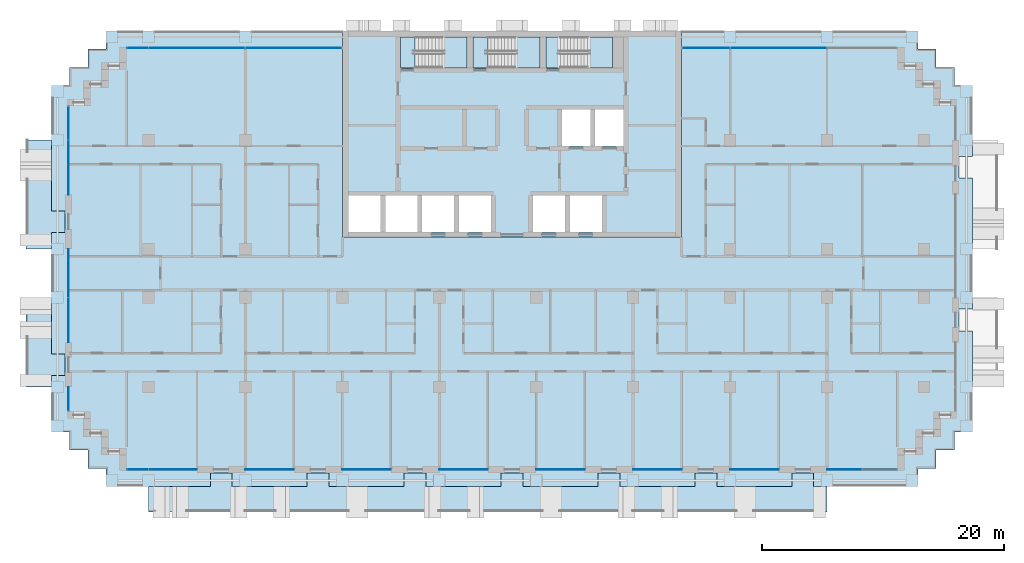
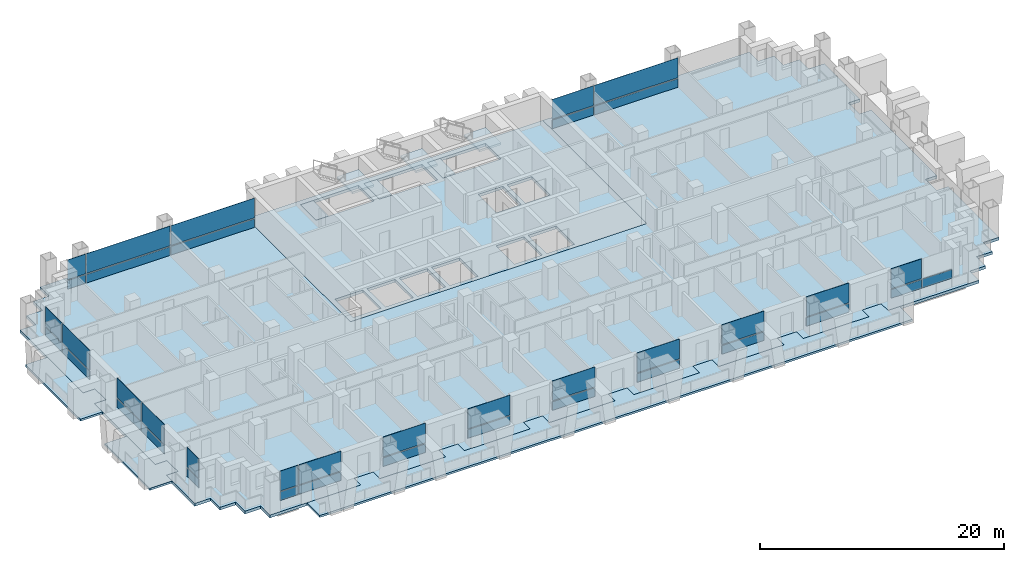
# One storey, part 7 of 19: 39 plates, 11 slabs, 16 elements without a shape of their own.
"""IFC4 building model written with IfcOpenShell, lengths in metres."""

from ifc_helpers import new_model, si_unit, direction, frame, origin, origin_2d, place, context, subcontext, project, spatial, polyline, rectangle, outline, extrude, material, layer, layer_set, type_object, element, aggregate, save


model = new_model("IFC4")

# Units and contexts
model_context = context("Model", 3, precision=1e-05, world=origin(), true_north=direction((0.0, 1.0)))
body_context = subcontext(model_context, "Body", "Model", "MODEL_VIEW")
ifc_project = project(units=[si_unit("LENGTHUNIT", "METRE"), si_unit("AREAUNIT", "SQUARE_METRE"), si_unit("VOLUMEUNIT", "CUBIC_METRE"), si_unit("PLANEANGLEUNIT", "RADIAN"), si_unit("MASSUNIT", "GRAM", prefix="KILO")], contexts=[model_context])

# Site, building, storey
site_placement = place(None, origin())
site = spatial("IfcSite", under=ifc_project, at=site_placement, CompositionType="ELEMENT")
building_placement = place(site_placement, origin())
building = spatial("IfcBuilding", under=site, at=building_placement, Name="Vidyagriha Tower", CompositionType="ELEMENT")
storey_placement = place(building_placement, frame((0.0, 0.0, 57.60009765625)))
storey = spatial("IfcBuildingStorey", under=building, at=storey_placement, Name="L15", CompositionType="ELEMENT", Elevation=57.60009765625)

# Curtain wall, plate
ifc_material_1 = material(Name="Aluminium and glass curtain wall", Category="aluminium")
curtain_wall_type = type_object("IfcCurtainWallType", Name="Dwelling skin unitised curtain wall", PredefinedType="USERDEFINED", material=ifc_material_1)
curtain_wall_1_placement = place(storey_placement, origin())
curtain_wall_1 = element("IfcCurtainWall", 1, at=curtain_wall_1_placement, inside=storey, type_object=curtain_wall_type, Name="CW1 dwelling skin", ObjectType="UNITISED", PredefinedType="USERDEFINED")
ifc_material_2 = material(Name="Glass dark ceramic-fritted spandrel", Category="glass")
ifc_layer_1 = layer(ifc_material_2, 0.0400390625)
ifc_layer_set_1 = layer_set([ifc_layer_1], Name="Glass dark ceramic-fritted spandrel")
plate_type_1 = type_object("IfcPlateType", Name="Ceramic-fritted spandrel panel", PredefinedType="CURTAIN_PANEL", material=ifc_layer_set_1)
plate_1_placement = place(storey_placement, frame((16.017578125, 18.60009765625, -0.000244140625), z_axis=(0.0, 0.0, 1.0), x_axis=(-1.0, 0.0, 0.0)))
plate_1 = element("IfcPlate", 2, at=plate_1_placement, type_object=plate_type_1, Name="CW1 panel 3.1", PredefinedType="CURTAIN_PANEL", context=body_context, shape_type="SweptSolid", body=[
    extrude(rectangle(XDim=3.89501953125, YDim=0.0400390625, at=origin_2d()), origin(), (0.0, 0.0, 1.0), 0.85009765625),
])

# Curtain wall, plates
curtain_wall_2_placement = place(storey_placement, origin())
curtain_wall_2 = element("IfcCurtainWall", 3, at=curtain_wall_2_placement, inside=storey, type_object=curtain_wall_type, Name="CW1 dwelling skin", ObjectType="UNITISED", PredefinedType="USERDEFINED")
plate_2_placement = place(storey_placement, frame((-18.017578125, 18.60009765625, -0.000244140625), z_axis=(0.0, 0.0, 1.0), x_axis=(-1.0, 0.0, 0.0)))
plate_2 = element("IfcPlate", 4, at=plate_2_placement, type_object=plate_type_1, Name="CW1 panel 1.1", PredefinedType="CURTAIN_PANEL", context=body_context, shape_type="SweptSolid", body=[
    extrude(rectangle(XDim=7.89501953125, YDim=0.0400390625, at=origin_2d()), origin(), (0.0, 0.0, 1.0), 0.85009765625),
])
plate_3_placement = place(storey_placement, frame((-30.882568359375, 18.60009765625, -0.000244140625), z_axis=(0.0, 0.0, 1.0), x_axis=(-1.0, 0.0, 0.0)))
plate_3 = element("IfcPlate", 5, at=plate_3_placement, type_object=plate_type_1, Name="CW1 panel 3.1", PredefinedType="CURTAIN_PANEL", context=body_context, shape_type="SweptSolid", body=[
    extrude(rectangle(XDim=1.695068359375, YDim=0.0400390625, at=origin_2d()), origin(), (0.0, 0.0, 1.0), 0.85009765625),
])

curtain_wall_3_placement = place(storey_placement, origin())
curtain_wall_3 = element("IfcCurtainWall", 6, at=curtain_wall_3_placement, inside=storey, type_object=curtain_wall_type, Name="CW1 dwelling skin", ObjectType="UNITISED", PredefinedType="USERDEFINED")
plate_4_placement = place(storey_placement, frame((-36.60009765625, 12.382568359375, -0.000244140625), z_axis=(0.0, 0.0, 1.0), x_axis=(0.0, -1.0, 0.0)))
plate_4 = element("IfcPlate", 7, at=plate_4_placement, type_object=plate_type_1, Name="CW1 panel 1.1", PredefinedType="CURTAIN_PANEL", context=body_context, shape_type="SweptSolid", body=[
    extrude(rectangle(XDim=2.695068359375, YDim=0.0400390625, at=origin_2d()), origin(), (0.0, 0.0, 1.0), 0.85009765625),
])
plate_5_placement = place(storey_placement, frame((-36.60009765625, 8.732421875, -0.000244140625), z_axis=(0.0, 0.0, 1.0), x_axis=(0.0, -1.0, 0.0)))
plate_5 = element("IfcPlate", 8, at=plate_5_placement, type_object=plate_type_1, Name="CW1 panel 2.1", PredefinedType="CURTAIN_PANEL", context=body_context, shape_type="SweptSolid", body=[
    extrude(rectangle(XDim=4.465087890625, YDim=0.0400390625, at=origin_2d()), origin(), (0.0, 0.0, 1.0), 0.85009765625),
])

# Curtain wall, plate
curtain_wall_4_placement = place(storey_placement, origin())
curtain_wall_4 = element("IfcCurtainWall", 9, at=curtain_wall_4_placement, inside=storey, type_object=curtain_wall_type, Name="CW1 dwelling skin", ObjectType="UNITISED", PredefinedType="USERDEFINED")
plate_6_placement = place(storey_placement, frame((-36.60009765625, -10.364990234375, -0.000244140625), z_axis=(0.0, 0.0, 1.0), x_axis=(0.0, -1.0, 0.0)))
plate_6 = element("IfcPlate", 10, at=plate_6_placement, type_object=plate_type_1, Name="CW1 panel 1.1", PredefinedType="CURTAIN_PANEL", context=body_context, shape_type="SweptSolid", body=[
    extrude(rectangle(XDim=1.929931640625, YDim=0.0400390625, at=origin_2d()), origin(), (0.0, 0.0, 1.0), 0.85009765625),
])

# Curtain wall, plates
curtain_wall_5_placement = place(storey_placement, origin())
curtain_wall_5 = element("IfcCurtainWall", 11, at=curtain_wall_5_placement, inside=storey, type_object=curtain_wall_type, Name="CW1 dwelling skin", ObjectType="UNITISED", PredefinedType="USERDEFINED")
plate_7_placement = place(storey_placement, frame((-30.882568359375, -16.199951171875, -0.000244140625)))
plate_7 = element("IfcPlate", 12, at=plate_7_placement, type_object=plate_type_1, Name="CW1 panel 1.1", PredefinedType="CURTAIN_PANEL", context=body_context, shape_type="SweptSolid", body=[
    extrude(rectangle(XDim=1.695068359375, YDim=0.0400390625, at=origin_2d()), origin(), (0.0, 0.0, 1.0), 0.85009765625),
])
plate_8_placement = place(storey_placement, frame((-27.982421875, -16.199951171875, -0.000244140625)))
plate_8 = element("IfcPlate", 13, at=plate_8_placement, type_object=plate_type_1, Name="CW1 panel 2.1", PredefinedType="CURTAIN_PANEL", context=body_context, shape_type="SweptSolid", body=[
    extrude(rectangle(XDim=3.965087890625, YDim=0.0400390625, at=origin_2d()), origin(), (0.0, 0.0, 1.0), 0.85009765625),
])

# Curtain wall, plate
curtain_wall_6_placement = place(storey_placement, origin())
curtain_wall_6 = element("IfcCurtainWall", 14, at=curtain_wall_6_placement, inside=storey, type_object=curtain_wall_type, Name="CW1 dwelling skin", ObjectType="UNITISED", PredefinedType="USERDEFINED")
plate_9_placement = place(storey_placement, frame((-12.0, -16.199951171875, -0.000244140625)))
plate_9 = element("IfcPlate", 15, at=plate_9_placement, type_object=plate_type_1, Name="CW1 panel 1.1", PredefinedType="CURTAIN_PANEL", context=body_context, shape_type="SweptSolid", body=[
    extrude(rectangle(XDim=4.0, YDim=0.0400390625, at=origin_2d()), origin(), (0.0, 0.0, 1.0), 0.85009765625),
])

curtain_wall_7_placement = place(storey_placement, origin())
curtain_wall_7 = element("IfcCurtainWall", 16, at=curtain_wall_7_placement, inside=storey, type_object=curtain_wall_type, Name="CW1 dwelling skin", ObjectType="UNITISED", PredefinedType="USERDEFINED")
plate_10_placement = place(storey_placement, frame((4.0, -16.199951171875, -0.000244140625)))
plate_10 = element("IfcPlate", 17, at=plate_10_placement, type_object=plate_type_1, Name="CW1 panel 1.1", PredefinedType="CURTAIN_PANEL", context=body_context, shape_type="SweptSolid", body=[
    extrude(rectangle(XDim=4.0, YDim=0.0400390625, at=origin_2d()), origin(), (0.0, 0.0, 1.0), 0.85009765625),
])

curtain_wall_8_placement = place(storey_placement, origin())
curtain_wall_8 = element("IfcCurtainWall", 18, at=curtain_wall_8_placement, inside=storey, type_object=curtain_wall_type, Name="CW1 dwelling skin", ObjectType="UNITISED", PredefinedType="USERDEFINED")
plate_11_placement = place(storey_placement, frame((20.0, -16.199951171875, -0.000244140625)))
plate_11 = element("IfcPlate", 19, at=plate_11_placement, type_object=plate_type_1, Name="CW1 panel 1.1", PredefinedType="CURTAIN_PANEL", context=body_context, shape_type="SweptSolid", body=[
    extrude(rectangle(XDim=4.0, YDim=0.0400390625, at=origin_2d()), origin(), (0.0, 0.0, 1.0), 0.85009765625),
])

curtain_wall_9_placement = place(storey_placement, origin())
curtain_wall_9 = element("IfcCurtainWall", 20, at=curtain_wall_9_placement, inside=storey, type_object=curtain_wall_type, Name="CW1 dwelling skin", ObjectType="UNITISED", PredefinedType="USERDEFINED")
plate_12_placement = place(storey_placement, frame((30.33251953125, -16.199951171875, -0.000244140625)))
plate_12 = element("IfcPlate", 21, at=plate_12_placement, type_object=plate_type_1, Name="CW1 panel 2.1", PredefinedType="CURTAIN_PANEL", context=body_context, shape_type="SweptSolid", body=[
    extrude(rectangle(XDim=2.794921875, YDim=0.0400390625, at=origin_2d()), origin(), (0.0, 0.0, 1.0), 0.85009765625),
])

# Slab
ifc_material_3 = material(Name="Concrete C60/75", Category="concrete")
ifc_layer_2 = layer(ifc_material_3, 0.280029296875)
ifc_layer_set_2 = layer_set([ifc_layer_2], Name="Concrete C60/75")
slab_type_1 = type_object("IfcSlabType", Name="Core floor slab 280 mm", PredefinedType="FLOOR", material=ifc_layer_set_2)
slab_1_placement = place(storey_placement, frame((0.0, 0.0, -0.280029296875)))
element("IfcSlab", 22, at=slab_1_placement, inside=storey, type_object=slab_type_1, Name="L15 core floor 1", PredefinedType="FLOOR", context=body_context, shape_type="SweptSolid", body=[
    extrude(outline(polyline([(-14.0, 3.0), (-14.0, 20.0), (14.0, 20.0), (14.0, 3.0), (-14.0, 3.0)]), holes=[polyline([(9.199951171875, 13.5), (6.86669921875, 13.5), (6.86669921875, 10.5), (9.199951171875, 10.5), (9.199951171875, 13.5)]), polyline([(4.0, 19.5), (2.800048828125, 19.5), (2.800048828125, 16.949951171875), (4.0, 16.949951171875), (8.300048828125, 16.949951171875), (8.300048828125, 19.5), (4.0, 19.5)]), polyline([(7.4111328125, 6.39990234375), (4.7666015625, 6.39990234375), (4.7666015625, 3.39990234375), (7.4111328125, 3.39990234375), (7.4111328125, 6.39990234375)]), polyline([(6.466796875, 13.5), (4.13330078125, 13.5), (4.13330078125, 10.5), (6.466796875, 10.5), (6.466796875, 13.5)]), polyline([(1.72216796875, 6.39990234375), (1.72216796875, 3.39990234375), (4.36669921875, 3.39990234375), (4.36669921875, 6.39990234375), (1.72216796875, 6.39990234375)]), polyline([(-2.0, 16.949951171875), (2.300048828125, 16.949951171875), (2.300048828125, 19.5), (-2.0, 19.5), (-3.199951171875, 19.5), (-3.199951171875, 16.949951171875), (-2.0, 16.949951171875)]), polyline([(-1.72216796875, 6.39990234375), (-4.36669921875, 6.39990234375), (-4.36669921875, 3.39990234375), (-1.72216796875, 3.39990234375), (-1.72216796875, 6.39990234375)]), polyline([(-8.0, 19.5), (-9.199951171875, 19.5), (-9.199951171875, 16.949951171875), (-8.0, 16.949951171875), (-3.699951171875, 16.949951171875), (-3.699951171875, 19.5), (-8.0, 19.5)]), polyline([(-4.7666015625, 6.39990234375), (-7.4111328125, 6.39990234375), (-7.4111328125, 3.39990234375), (-4.7666015625, 3.39990234375), (-4.7666015625, 6.39990234375)]), polyline([(-7.81103515625, 6.39990234375), (-10.45556640625, 6.39990234375), (-10.45556640625, 3.39990234375), (-7.81103515625, 3.39990234375), (-7.81103515625, 6.39990234375)]), polyline([(-13.5, 6.39990234375), (-13.5, 3.39990234375), (-10.855712890625, 3.39990234375), (-10.855712890625, 6.39990234375), (-13.5, 6.39990234375)])]), origin(), (0.0, 0.0, 1.0), 0.280029296875),
])

# Plate
ifc_material_4 = material(Name="Glass dark ceramic-fritted", Category="glass")
ifc_layer_3 = layer(ifc_material_4, 0.028076171875)
ifc_layer_set_3 = layer_set([ifc_layer_3], Name="Glass dark ceramic-fritted")
plate_type_2 = type_object("IfcPlateType", Name="Dark ceramic-fritted vision glass panel", PredefinedType="CURTAIN_PANEL", material=ifc_layer_set_3)
plate_13_placement = place(storey_placement, frame((22.0, 18.60009765625, 0.94970703125), z_axis=(0.0, 0.0, 1.0), x_axis=(-1.0, 0.0, 0.0)))
plate_13 = element("IfcPlate", 23, at=plate_13_placement, type_object=plate_type_2, Name="CW1 panel 2.2", PredefinedType="CURTAIN_PANEL", context=body_context, shape_type="SweptSolid", body=[
    extrude(rectangle(XDim=7.929931640625, YDim=0.028076171875, at=origin_2d()), origin(), (0.0, 0.0, 1.0), 1.969970703125),
])

plate_14_placement = place(storey_placement, frame((16.017578125, 18.60009765625, 0.94970703125), z_axis=(0.0, 0.0, 1.0), x_axis=(-1.0, 0.0, 0.0)))
plate_14 = element("IfcPlate", 24, at=plate_14_placement, type_object=plate_type_2, Name="CW1 panel 3.2", PredefinedType="CURTAIN_PANEL", context=body_context, shape_type="SweptSolid", body=[
    extrude(rectangle(XDim=3.89501953125, YDim=0.028076171875, at=origin_2d()), origin(), (0.0, 0.0, 1.0), 1.969970703125),
])

plate_15_placement = place(storey_placement, frame((-18.017578125, 18.60009765625, 0.94970703125), z_axis=(0.0, 0.0, 1.0), x_axis=(-1.0, 0.0, 0.0)))
plate_15 = element("IfcPlate", 25, at=plate_15_placement, type_object=plate_type_2, Name="CW1 panel 1.2", PredefinedType="CURTAIN_PANEL", context=body_context, shape_type="SweptSolid", body=[
    extrude(rectangle(XDim=7.89501953125, YDim=0.028076171875, at=origin_2d()), origin(), (0.0, 0.0, 1.0), 1.969970703125),
])

plate_16_placement = place(storey_placement, frame((-26.0, 18.60009765625, 0.94970703125), z_axis=(0.0, 0.0, 1.0), x_axis=(-1.0, 0.0, 0.0)))
plate_16 = element("IfcPlate", 26, at=plate_16_placement, type_object=plate_type_2, Name="CW1 panel 2.2", PredefinedType="CURTAIN_PANEL", context=body_context, shape_type="SweptSolid", body=[
    extrude(rectangle(XDim=7.929931640625, YDim=0.028076171875, at=origin_2d()), origin(), (0.0, 0.0, 1.0), 1.969970703125),
])

plate_17_placement = place(storey_placement, frame((-30.882568359375, 18.60009765625, 0.94970703125), z_axis=(0.0, 0.0, 1.0), x_axis=(-1.0, 0.0, 0.0)))
plate_17 = element("IfcPlate", 27, at=plate_17_placement, type_object=plate_type_2, Name="CW1 panel 3.2", PredefinedType="CURTAIN_PANEL", context=body_context, shape_type="SweptSolid", body=[
    extrude(rectangle(XDim=1.695068359375, YDim=0.028076171875, at=origin_2d()), origin(), (0.0, 0.0, 1.0), 1.969970703125),
])

plate_18_placement = place(storey_placement, frame((-36.60009765625, 12.382568359375, 0.94970703125), z_axis=(0.0, 0.0, 1.0), x_axis=(0.0, -1.0, 0.0)))
plate_18 = element("IfcPlate", 28, at=plate_18_placement, type_object=plate_type_2, Name="CW1 panel 1.2", PredefinedType="CURTAIN_PANEL", context=body_context, shape_type="SweptSolid", body=[
    extrude(rectangle(XDim=2.695068359375, YDim=0.028076171875, at=origin_2d()), origin(), (0.0, 0.0, 1.0), 1.969970703125),
])

plate_19_placement = place(storey_placement, frame((-36.60009765625, 8.732421875, 0.94970703125), z_axis=(0.0, 0.0, 1.0), x_axis=(0.0, -1.0, 0.0)))
plate_19 = element("IfcPlate", 29, at=plate_19_placement, type_object=plate_type_2, Name="CW1 panel 2.2", PredefinedType="CURTAIN_PANEL", context=body_context, shape_type="SweptSolid", body=[
    extrude(rectangle(XDim=4.465087890625, YDim=0.028076171875, at=origin_2d()), origin(), (0.0, 0.0, 1.0), 1.969970703125),
])

aggregate(curtain_wall_3, [plate_4, plate_18, plate_5, plate_19])

# Curtain wall, plates
curtain_wall_10_placement = place(storey_placement, origin())
curtain_wall_10 = element("IfcCurtainWall", 30, at=curtain_wall_10_placement, inside=storey, type_object=curtain_wall_type, Name="CW1 dwelling skin", ObjectType="UNITISED", PredefinedType="USERDEFINED")
plate_20_placement = place(storey_placement, frame((-36.60009765625, 0.017578125, 0.94970703125), z_axis=(0.0, 0.0, 1.0), x_axis=(0.0, -1.0, 0.0)))
plate_20 = element("IfcPlate", 31, at=plate_20_placement, type_object=plate_type_2, Name="CW1 panel 1.2", PredefinedType="CURTAIN_PANEL", context=body_context, shape_type="SweptSolid", body=[
    extrude(rectangle(XDim=3.965087890625, YDim=0.028076171875, at=origin_2d()), origin(), (0.0, 0.0, 1.0), 1.969970703125),
])
plate_21_placement = place(storey_placement, frame((-36.60009765625, -3.867431640625, 0.94970703125), z_axis=(0.0, 0.0, 1.0), x_axis=(0.0, -1.0, 0.0)))
plate_21 = element("IfcPlate", 32, at=plate_21_placement, type_object=plate_type_2, Name="CW1 panel 2.2", PredefinedType="CURTAIN_PANEL", context=body_context, shape_type="SweptSolid", body=[
    extrude(rectangle(XDim=3.6650390625, YDim=0.028076171875, at=origin_2d()), origin(), (0.0, 0.0, 1.0), 1.969970703125),
])

# Plate
plate_22_placement = place(storey_placement, frame((-36.60009765625, -10.364990234375, 0.94970703125), z_axis=(0.0, 0.0, 1.0), x_axis=(0.0, -1.0, 0.0)))
plate_22 = element("IfcPlate", 33, at=plate_22_placement, type_object=plate_type_2, Name="CW1 panel 1.2", PredefinedType="CURTAIN_PANEL", context=body_context, shape_type="SweptSolid", body=[
    extrude(rectangle(XDim=1.929931640625, YDim=0.028076171875, at=origin_2d()), origin(), (0.0, 0.0, 1.0), 1.969970703125),
])

aggregate(curtain_wall_4, [plate_6, plate_22])

plate_23_placement = place(storey_placement, frame((-30.882568359375, -16.199951171875, 0.94970703125)))
plate_23 = element("IfcPlate", 34, at=plate_23_placement, type_object=plate_type_2, Name="CW1 panel 1.2", PredefinedType="CURTAIN_PANEL", context=body_context, shape_type="SweptSolid", body=[
    extrude(rectangle(XDim=1.695068359375, YDim=0.028076171875, at=origin_2d()), origin(), (0.0, 0.0, 1.0), 1.969970703125),
])

plate_24_placement = place(storey_placement, frame((-27.982421875, -16.199951171875, 0.94970703125)))
plate_24 = element("IfcPlate", 35, at=plate_24_placement, type_object=plate_type_2, Name="CW1 panel 2.2", PredefinedType="CURTAIN_PANEL", context=body_context, shape_type="SweptSolid", body=[
    extrude(rectangle(XDim=3.965087890625, YDim=0.028076171875, at=origin_2d()), origin(), (0.0, 0.0, 1.0), 1.969970703125),
])

aggregate(curtain_wall_5, [plate_7, plate_23, plate_8, plate_24])

# Curtain wall, plate
curtain_wall_11_placement = place(storey_placement, origin())
curtain_wall_11 = element("IfcCurtainWall", 36, at=curtain_wall_11_placement, inside=storey, type_object=curtain_wall_type, Name="CW1 dwelling skin", ObjectType="UNITISED", PredefinedType="USERDEFINED")
plate_25_placement = place(storey_placement, frame((-20.0, -16.199951171875, 0.94970703125)))
plate_25 = element("IfcPlate", 37, at=plate_25_placement, type_object=plate_type_2, Name="CW1 panel 1.2", PredefinedType="CURTAIN_PANEL", context=body_context, shape_type="SweptSolid", body=[
    extrude(rectangle(XDim=4.0, YDim=0.028076171875, at=origin_2d()), origin(), (0.0, 0.0, 1.0), 1.969970703125),
])

# Plate
plate_26_placement = place(storey_placement, frame((-12.0, -16.199951171875, 0.94970703125)))
plate_26 = element("IfcPlate", 38, at=plate_26_placement, type_object=plate_type_2, Name="CW1 panel 1.2", PredefinedType="CURTAIN_PANEL", context=body_context, shape_type="SweptSolid", body=[
    extrude(rectangle(XDim=4.0, YDim=0.028076171875, at=origin_2d()), origin(), (0.0, 0.0, 1.0), 1.969970703125),
])

aggregate(curtain_wall_6, [plate_9, plate_26])

# Curtain wall, plate
curtain_wall_12_placement = place(storey_placement, origin())
curtain_wall_12 = element("IfcCurtainWall", 39, at=curtain_wall_12_placement, inside=storey, type_object=curtain_wall_type, Name="CW1 dwelling skin", ObjectType="UNITISED", PredefinedType="USERDEFINED")
plate_27_placement = place(storey_placement, frame((-4.0, -16.199951171875, 0.94970703125)))
plate_27 = element("IfcPlate", 40, at=plate_27_placement, type_object=plate_type_2, Name="CW1 panel 1.2", PredefinedType="CURTAIN_PANEL", context=body_context, shape_type="SweptSolid", body=[
    extrude(rectangle(XDim=4.0, YDim=0.028076171875, at=origin_2d()), origin(), (0.0, 0.0, 1.0), 1.969970703125),
])

# Plate
plate_28_placement = place(storey_placement, frame((4.0, -16.199951171875, 0.94970703125)))
plate_28 = element("IfcPlate", 41, at=plate_28_placement, type_object=plate_type_2, Name="CW1 panel 1.2", PredefinedType="CURTAIN_PANEL", context=body_context, shape_type="SweptSolid", body=[
    extrude(rectangle(XDim=4.0, YDim=0.028076171875, at=origin_2d()), origin(), (0.0, 0.0, 1.0), 1.969970703125),
])

aggregate(curtain_wall_7, [plate_10, plate_28])

# Curtain wall, plate
curtain_wall_13_placement = place(storey_placement, origin())
curtain_wall_13 = element("IfcCurtainWall", 42, at=curtain_wall_13_placement, inside=storey, type_object=curtain_wall_type, Name="CW1 dwelling skin", ObjectType="UNITISED", PredefinedType="USERDEFINED")
plate_29_placement = place(storey_placement, frame((12.0, -16.199951171875, 0.94970703125)))
plate_29 = element("IfcPlate", 43, at=plate_29_placement, type_object=plate_type_2, Name="CW1 panel 1.2", PredefinedType="CURTAIN_PANEL", context=body_context, shape_type="SweptSolid", body=[
    extrude(rectangle(XDim=4.0, YDim=0.028076171875, at=origin_2d()), origin(), (0.0, 0.0, 1.0), 1.969970703125),
])

# Plate
plate_30_placement = place(storey_placement, frame((20.0, -16.199951171875, 0.94970703125)))
plate_30 = element("IfcPlate", 44, at=plate_30_placement, type_object=plate_type_2, Name="CW1 panel 1.2", PredefinedType="CURTAIN_PANEL", context=body_context, shape_type="SweptSolid", body=[
    extrude(rectangle(XDim=4.0, YDim=0.028076171875, at=origin_2d()), origin(), (0.0, 0.0, 1.0), 1.969970703125),
])

aggregate(curtain_wall_8, [plate_11, plate_30])

plate_31_placement = place(storey_placement, frame((27.4326171875, -16.199951171875, 0.94970703125)))
plate_31 = element("IfcPlate", 45, at=plate_31_placement, type_object=plate_type_2, Name="CW1 panel 1.2", PredefinedType="CURTAIN_PANEL", context=body_context, shape_type="SweptSolid", body=[
    extrude(rectangle(XDim=2.864990234375, YDim=0.028076171875, at=origin_2d()), origin(), (0.0, 0.0, 1.0), 1.969970703125),
])

# Slabs
ifc_material_5 = material(Name="Concrete C40/50", Category="concrete")
ifc_layer_4 = layer(ifc_material_5, 0.280029296875)
ifc_layer_set_4 = layer_set([ifc_layer_4], Name="Concrete C40/50")
slab_type_2 = type_object("IfcSlabType", Name="Exit stair floor landing 280 mm", PredefinedType="LANDING", material=ifc_layer_set_4)
slab_2_placement = place(storey_placement, frame((0.0, 0.0, -0.280029296875)))
element("IfcSlab", 46, at=slab_2_placement, inside=storey, type_object=slab_type_2, Name="ST1 floor landing L15", PredefinedType="LANDING", context=body_context, shape_type="SweptSolid", body=[
    extrude(outline(polyline([(-9.199951171875, 16.949951171875), (-8.0, 16.949951171875), (-8.0, 19.5), (-9.199951171875, 19.5), (-9.199951171875, 16.949951171875)])), origin(), (0.0, 0.0, 1.0), 0.280029296875),
])
slab_3_placement = place(storey_placement, frame((0.0, 0.0, -0.280029296875)))
element("IfcSlab", 47, at=slab_3_placement, inside=storey, type_object=slab_type_2, Name="ST2 floor landing L15", PredefinedType="LANDING", context=body_context, shape_type="SweptSolid", body=[
    extrude(outline(polyline([(-3.199951171875, 16.949951171875), (-2.0, 16.949951171875), (-2.0, 19.5), (-3.199951171875, 19.5), (-3.199951171875, 16.949951171875)])), origin(), (0.0, 0.0, 1.0), 0.280029296875),
])
slab_4_placement = place(storey_placement, frame((0.0, 0.0, -0.280029296875)))
element("IfcSlab", 48, at=slab_4_placement, inside=storey, type_object=slab_type_2, Name="ST3 floor landing L15", PredefinedType="LANDING", context=body_context, shape_type="SweptSolid", body=[
    extrude(outline(polyline([(2.800048828125, 16.949951171875), (4.0, 16.949951171875), (4.0, 19.5), (2.800048828125, 19.5), (2.800048828125, 16.949951171875)])), origin(), (0.0, 0.0, 1.0), 0.280029296875),
])

# Stair, slab
ifc_material_6 = material(Name="Concrete C40/50", Category="concrete")
stair_type = type_object("IfcStairType", Name="Exit stair, half-turn, precast flights", PredefinedType="HALF_TURN_STAIR", material=ifc_material_6)
stair_1_placement = place(storey_placement, origin())
stair_1 = element("IfcStair", 49, at=stair_1_placement, inside=storey, type_object=stair_type, Name="L15 Exit Stair ST1", PredefinedType="HALF_TURN_STAIR")
ifc_material_7 = material(Name="Concrete C40/50", Category="concrete")
ifc_layer_5 = layer(ifc_material_7, 0.199951171875)
ifc_layer_set_5 = layer_set([ifc_layer_5], Name="Concrete C40/50")
slab_type_3 = type_object("IfcSlabType", Name="Exit stair landing 200 mm", PredefinedType="LANDING", material=ifc_layer_set_5)
slab_5_placement = place(storey_placement, frame((0.0, 0.0, 1.39990234375)))
slab_5 = element("IfcSlab", 50, at=slab_5_placement, type_object=slab_type_3, Name="ST1 landing 1", PredefinedType="LANDING", context=body_context, shape_type="SweptSolid", body=[
    extrude(outline(polyline([(-5.760009765625, 16.949951171875), (-3.699951171875, 16.949951171875), (-3.699951171875, 19.5), (-5.760009765625, 19.5), (-5.760009765625, 16.949951171875)])), origin(), (0.0, 0.0, 1.0), 0.199951171875),
])
aggregate(stair_1, [slab_5])

stair_2_placement = place(storey_placement, origin())
stair_2 = element("IfcStair", 51, at=stair_2_placement, inside=storey, type_object=stair_type, Name="L15 Exit Stair ST2", PredefinedType="HALF_TURN_STAIR")
slab_6_placement = place(storey_placement, frame((0.0, 0.0, 1.39990234375)))
slab_6 = element("IfcSlab", 52, at=slab_6_placement, type_object=slab_type_3, Name="ST2 landing 1", PredefinedType="LANDING", context=body_context, shape_type="SweptSolid", body=[
    extrude(outline(polyline([(0.239990234375, 16.949951171875), (2.300048828125, 16.949951171875), (2.300048828125, 19.5), (0.239990234375, 19.5), (0.239990234375, 16.949951171875)])), origin(), (0.0, 0.0, 1.0), 0.199951171875),
])
aggregate(stair_2, [slab_6])

stair_3_placement = place(storey_placement, origin())
stair_3 = element("IfcStair", 53, at=stair_3_placement, inside=storey, type_object=stair_type, Name="L15 Exit Stair ST3", PredefinedType="HALF_TURN_STAIR")
slab_7_placement = place(storey_placement, frame((0.0, 0.0, 1.39990234375)))
slab_7 = element("IfcSlab", 54, at=slab_7_placement, type_object=slab_type_3, Name="ST3 landing 1", PredefinedType="LANDING", context=body_context, shape_type="SweptSolid", body=[
    extrude(outline(polyline([(6.239990234375, 16.949951171875), (8.300048828125, 16.949951171875), (8.300048828125, 19.5), (6.239990234375, 19.5), (6.239990234375, 16.949951171875)])), origin(), (0.0, 0.0, 1.0), 0.199951171875),
])
aggregate(stair_3, [slab_7])

# Plate
ifc_material_8 = material(Name="Aluminium black anodised", Category="aluminium")
ifc_layer_6 = layer(ifc_material_8, 0.06005859375)
ifc_layer_set_6 = layer_set([ifc_layer_6], Name="Aluminium black anodised")
plate_type_3 = type_object("IfcPlateType", Name="Operable black-metal vent panel", PredefinedType="CURTAIN_PANEL", material=ifc_layer_set_6)
plate_32_placement = place(storey_placement, frame((22.0, 18.60009765625, -0.000244140625), z_axis=(0.0, 0.0, 1.0), x_axis=(-1.0, 0.0, 0.0)))
plate_32 = element("IfcPlate", 55, at=plate_32_placement, type_object=plate_type_3, Name="CW1 panel 2.1", PredefinedType="CURTAIN_PANEL", context=body_context, shape_type="SweptSolid", body=[
    extrude(rectangle(XDim=7.929931640625, YDim=0.06005859375, at=origin_2d()), origin(), (0.0, 0.0, 1.0), 0.85009765625),
])

aggregate(curtain_wall_1, [plate_32, plate_13, plate_1, plate_14])

plate_33_placement = place(storey_placement, frame((-26.0, 18.60009765625, -0.000244140625), z_axis=(0.0, 0.0, 1.0), x_axis=(-1.0, 0.0, 0.0)))
plate_33 = element("IfcPlate", 56, at=plate_33_placement, type_object=plate_type_3, Name="CW1 panel 2.1", PredefinedType="CURTAIN_PANEL", context=body_context, shape_type="SweptSolid", body=[
    extrude(rectangle(XDim=7.929931640625, YDim=0.06005859375, at=origin_2d()), origin(), (0.0, 0.0, 1.0), 0.85009765625),
])

aggregate(curtain_wall_2, [plate_2, plate_15, plate_33, plate_16, plate_3, plate_17])

plate_34_placement = place(storey_placement, frame((-36.60009765625, 0.017578125, -0.000244140625), z_axis=(0.0, 0.0, 1.0), x_axis=(0.0, -1.0, 0.0)))
plate_34 = element("IfcPlate", 57, at=plate_34_placement, type_object=plate_type_3, Name="CW1 panel 1.1", PredefinedType="CURTAIN_PANEL", context=body_context, shape_type="SweptSolid", body=[
    extrude(rectangle(XDim=3.965087890625, YDim=0.06005859375, at=origin_2d()), origin(), (0.0, 0.0, 1.0), 0.85009765625),
])

plate_35_placement = place(storey_placement, frame((-36.60009765625, -3.867431640625, -0.000244140625), z_axis=(0.0, 0.0, 1.0), x_axis=(0.0, -1.0, 0.0)))
plate_35 = element("IfcPlate", 58, at=plate_35_placement, type_object=plate_type_3, Name="CW1 panel 2.1", PredefinedType="CURTAIN_PANEL", context=body_context, shape_type="SweptSolid", body=[
    extrude(rectangle(XDim=3.6650390625, YDim=0.06005859375, at=origin_2d()), origin(), (0.0, 0.0, 1.0), 0.85009765625),
])

aggregate(curtain_wall_10, [plate_34, plate_20, plate_35, plate_21])

plate_36_placement = place(storey_placement, frame((-20.0, -16.199951171875, -0.000244140625)))
plate_36 = element("IfcPlate", 59, at=plate_36_placement, type_object=plate_type_3, Name="CW1 panel 1.1", PredefinedType="CURTAIN_PANEL", context=body_context, shape_type="SweptSolid", body=[
    extrude(rectangle(XDim=4.0, YDim=0.06005859375, at=origin_2d()), origin(), (0.0, 0.0, 1.0), 0.85009765625),
])

aggregate(curtain_wall_11, [plate_36, plate_25])

plate_37_placement = place(storey_placement, frame((-4.0, -16.199951171875, -0.000244140625)))
plate_37 = element("IfcPlate", 60, at=plate_37_placement, type_object=plate_type_3, Name="CW1 panel 1.1", PredefinedType="CURTAIN_PANEL", context=body_context, shape_type="SweptSolid", body=[
    extrude(rectangle(XDim=4.0, YDim=0.06005859375, at=origin_2d()), origin(), (0.0, 0.0, 1.0), 0.85009765625),
])

aggregate(curtain_wall_12, [plate_37, plate_27])

plate_38_placement = place(storey_placement, frame((12.0, -16.199951171875, -0.000244140625)))
plate_38 = element("IfcPlate", 61, at=plate_38_placement, type_object=plate_type_3, Name="CW1 panel 1.1", PredefinedType="CURTAIN_PANEL", context=body_context, shape_type="SweptSolid", body=[
    extrude(rectangle(XDim=4.0, YDim=0.06005859375, at=origin_2d()), origin(), (0.0, 0.0, 1.0), 0.85009765625),
])

aggregate(curtain_wall_13, [plate_38, plate_29])

plate_39_placement = place(storey_placement, frame((27.4326171875, -16.199951171875, -0.000244140625)))
plate_39 = element("IfcPlate", 62, at=plate_39_placement, type_object=plate_type_3, Name="CW1 panel 1.1", PredefinedType="CURTAIN_PANEL", context=body_context, shape_type="SweptSolid", body=[
    extrude(rectangle(XDim=2.864990234375, YDim=0.06005859375, at=origin_2d()), origin(), (0.0, 0.0, 1.0), 0.85009765625),
])

aggregate(curtain_wall_9, [plate_39, plate_31, plate_12])

# Slabs
ifc_material_9 = material(Name="Concrete C50/60", Category="concrete")
ifc_layer_7 = layer(ifc_material_9, 0.280029296875)
ifc_layer_set_7 = layer_set([ifc_layer_7], Name="Concrete C50/60")
slab_type_4 = type_object("IfcSlabType", Name="Post-tensioned flat plate 280", PredefinedType="FLOOR", material=ifc_layer_set_7)
slab_8_placement = place(storey_placement, frame((0.0, 0.0, -0.280029296875)))
element("IfcSlab", 63, at=slab_8_placement, inside=storey, type_object=slab_type_4, Name="st-slab-L15-1", PredefinedType="FLOOR", context=body_context, shape_type="SweptSolid", body=[
    extrude(outline(polyline([(36.5, -14.60009765625), (35.0, -14.60009765625), (35.0, -16.10009765625), (33.5, -16.10009765625), (33.5, -17.60009765625), (24.89990234375, -17.60009765625), (24.89990234375, -16.5), (23.10009765625, -16.5), (23.10009765625, -17.60009765625), (16.89990234375, -17.60009765625), (16.89990234375, -16.5), (15.10009765625, -16.5), (15.10009765625, -17.60009765625), (8.89990234375, -17.60009765625), (8.89990234375, -16.5), (7.10009765625, -16.5), (7.10009765625, -17.60009765625), (0.89990234375, -17.60009765625), (0.89990234375, -16.5), (-0.89990234375, -16.5), (-0.89990234375, -17.60009765625), (-7.10009765625, -17.60009765625), (-7.10009765625, -16.5), (-8.89990234375, -16.5), (-8.89990234375, -17.60009765625), (-15.10009765625, -17.60009765625), (-15.10009765625, -16.5), (-16.89990234375, -16.5), (-16.89990234375, -17.60009765625), (-23.10009765625, -17.60009765625), (-23.10009765625, -16.5), (-24.89990234375, -16.5), (-24.89990234375, -17.60009765625), (-33.5, -17.60009765625), (-33.5, -16.10009765625), (-35.0, -16.10009765625), (-35.0, -14.60009765625), (-36.5, -14.60009765625), (-36.5, -13.10009765625), (-38.0, -13.10009765625), (-38.0, -8.449951171875), (-36.89990234375, -8.449951171875), (-36.89990234375, -6.64990234375), (-38.0, -6.64990234375), (-38.0, 3.35009765625), (-36.89990234375, 3.35009765625), (-36.89990234375, 5.14990234375), (-38.0, 5.14990234375), (-38.0, 15.5), (-36.5, 15.5), (-36.5, 17.0), (-35.0, 17.0), (-35.0, 18.5), (-33.5, 18.5), (-33.5, 20.0), (-14.0, 20.0), (-14.0, 3.0), (14.0, 3.0), (14.0, 20.0), (33.5, 20.0), (33.5, 18.5), (35.0, 18.5), (35.0, 17.0), (36.5, 17.0), (36.5, 15.5), (38.0, 15.5), (38.0, 9.64990234375), (36.89990234375, 9.64990234375), (36.89990234375, 7.85009765625), (38.0, 7.85009765625), (38.0, -2.949951171875), (36.89990234375, -2.949951171875), (36.89990234375, -4.75), (38.0, -4.75), (38.0, -13.10009765625), (36.5, -13.10009765625), (36.5, -14.60009765625)])), origin(), (0.0, 0.0, 1.0), 0.280029296875),
])
ifc_material_10 = material(Name="Precast concrete C40/50", Category="concrete")
ifc_layer_8 = layer(ifc_material_10, 0.199951171875)
ifc_layer_set_8 = layer_set([ifc_layer_8], Name="Precast concrete C40/50")
slab_type_5 = type_object("IfcSlabType", Name="Precast balcony slab 200", PredefinedType="USERDEFINED", material=ifc_layer_set_8)
slab_9_placement = place(storey_placement, frame((0.0, 0.0, -0.2001953125)))
element("IfcSlab", 64, at=slab_9_placement, inside=storey, type_object=slab_type_5, Name="Balcony slab L15 R16.1-1", ObjectType="BALCONY", PredefinedType="USERDEFINED", context=body_context, shape_type="SweptSolid", body=[
    extrude(outline(polyline([(-36.89990234375, 3.35009765625), (-36.89990234375, 5.14990234375), (-38.0, 5.14990234375), (-38.0, 11.0), (-40.10009765625, 11.0), (-40.10009765625, 2.0), (-38.0, 2.0), (-38.0, 3.35009765625), (-36.89990234375, 3.35009765625)])), origin(), (0.0, 0.0, 1.0), 0.2001953125),
])
slab_10_placement = place(storey_placement, frame((0.0, 0.0, -0.2001953125)))
element("IfcSlab", 65, at=slab_10_placement, inside=storey, type_object=slab_type_5, Name="Balcony slab L15 R16.2-2", ObjectType="BALCONY", PredefinedType="USERDEFINED", context=body_context, shape_type="SweptSolid", body=[
    extrude(outline(polyline([(-36.89990234375, -8.449951171875), (-36.89990234375, -6.64990234375), (-38.0, -6.64990234375), (-38.0, -2.0), (-40.10009765625, -2.0), (-40.10009765625, -9.39990234375), (-38.0, -9.39990234375), (-38.0, -8.449951171875), (-36.89990234375, -8.449951171875)])), origin(), (0.0, 0.0, 1.0), 0.2001953125),
])
slab_11_placement = place(storey_placement, frame((0.0, 0.0, -0.2001953125)))
element("IfcSlab", 66, at=slab_11_placement, inside=storey, type_object=slab_type_5, Name="Balcony slab L15 R23.1-7", ObjectType="BALCONY", PredefinedType="USERDEFINED", context=body_context, shape_type="SweptSolid", body=[
    extrude(outline(polyline([(-23.10009765625, -16.5), (-24.89990234375, -16.5), (-24.89990234375, -17.60009765625), (-30.0, -17.60009765625), (-30.0, -19.699951171875), (26.0, -19.699951171875), (26.0, -17.60009765625), (24.89990234375, -17.60009765625), (24.89990234375, -16.5), (23.10009765625, -16.5), (23.10009765625, -17.60009765625), (16.89990234375, -17.60009765625), (16.89990234375, -16.5), (15.10009765625, -16.5), (15.10009765625, -17.60009765625), (8.89990234375, -17.60009765625), (8.89990234375, -16.5), (7.10009765625, -16.5), (7.10009765625, -17.60009765625), (0.89990234375, -17.60009765625), (0.89990234375, -16.5), (-0.89990234375, -16.5), (-0.89990234375, -17.60009765625), (-7.10009765625, -17.60009765625), (-7.10009765625, -16.5), (-8.89990234375, -16.5), (-8.89990234375, -17.60009765625), (-15.10009765625, -17.60009765625), (-15.10009765625, -16.5), (-16.89990234375, -16.5), (-16.89990234375, -17.60009765625), (-23.10009765625, -17.60009765625), (-23.10009765625, -16.5)])), origin(), (0.0, 0.0, 1.0), 0.2001953125),
])

save(model, "model.ifc")
